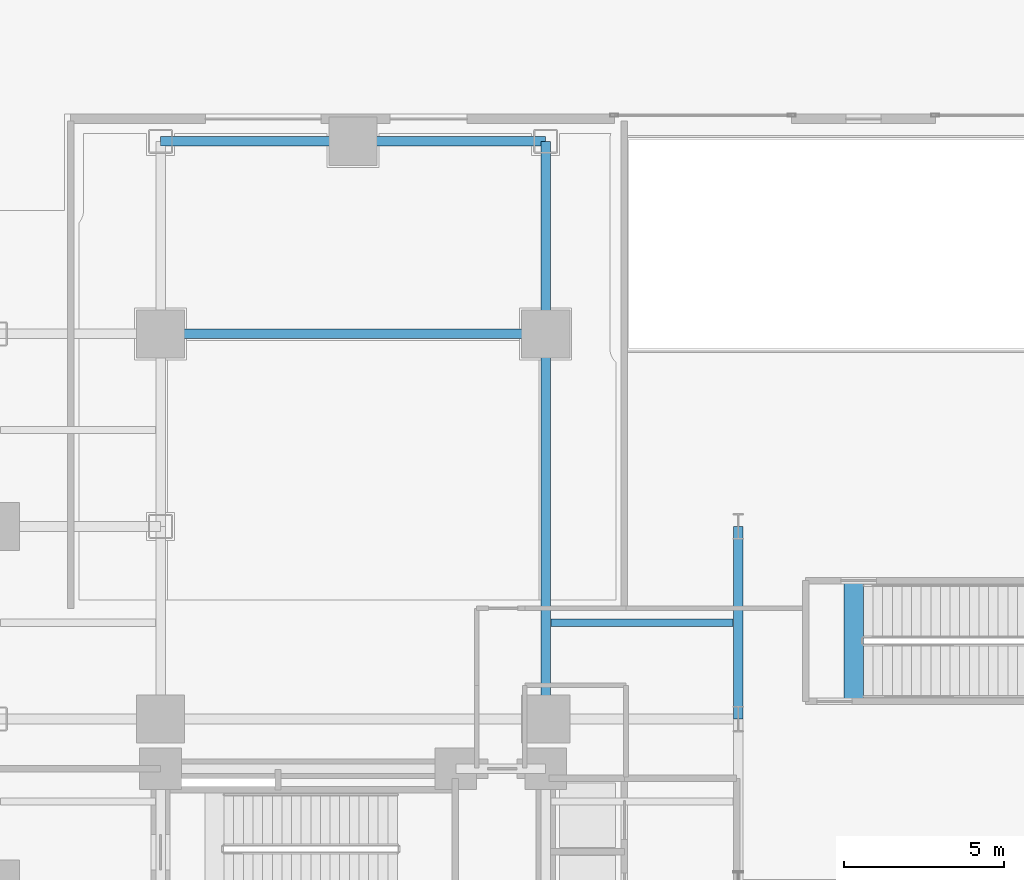
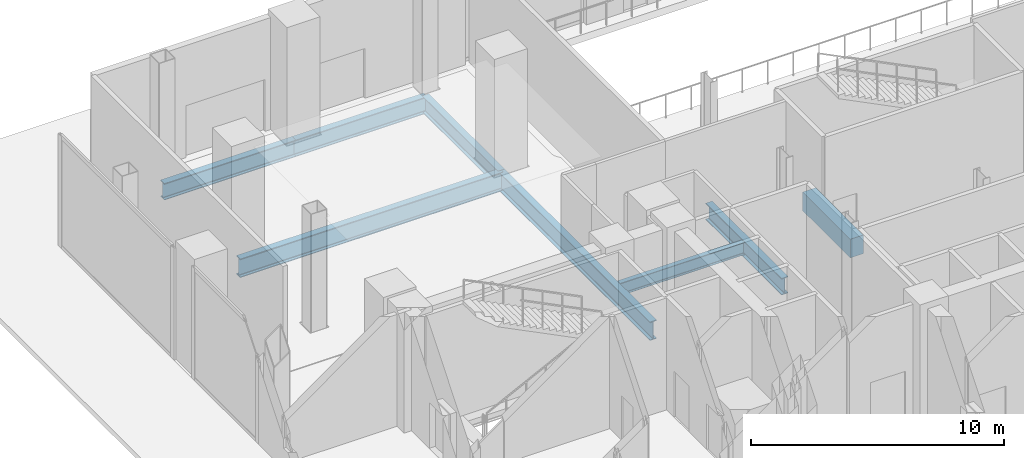
# One storey, part 11 of 27: 8 beams.
"""IFC4 building model written with IfcOpenShell, lengths in metres."""

from ifc_helpers import new_model, si_unit, direction, frame, origin, origin_2d, place, context, subcontext, project, spatial, rectangle, i_section, extrude, material, material_profile, profile_set, type_object, element, save


model = new_model("IFC4")

# Units and contexts
model_context = context("Model", 3, precision=1e-05, world=origin(), true_north=direction((0.0, 1.0)))
body_context = subcontext(model_context, "Body", "Model", "MODEL_VIEW")
ifc_project = project(units=[si_unit("LENGTHUNIT", "METRE"), si_unit("AREAUNIT", "SQUARE_METRE"), si_unit("VOLUMEUNIT", "CUBIC_METRE"), si_unit("PLANEANGLEUNIT", "RADIAN"), si_unit("MASSUNIT", "GRAM", prefix="KILO"), si_unit("THERMODYNAMICTEMPERATUREUNIT", "KELVIN"), si_unit("POWERUNIT", "WATT")], contexts=[model_context])

# Site, building, storey
site_placement = place(None, origin())
site = spatial("IfcSite", under=ifc_project, at=site_placement, CompositionType="ELEMENT")
building_placement = place(site_placement, origin())
building = spatial("IfcBuilding", under=site, at=building_placement, Name="Svarakhadi Broadcast Tower", CompositionType="ELEMENT")
storey_placement = place(building_placement, origin())
storey = spatial("IfcBuildingStorey", under=building, at=storey_placement, Name="L00", CompositionType="ELEMENT", Elevation=0.0)

# Beams
ifc_material_1 = material(Name="Steel S355J2 (IS 2062 E350C)", Category="steel")
ifc_material_profile_1 = material_profile(ifc_material_1, i_section(OverallWidth=0.219970703125, OverallDepth=0.60009765625, WebThickness=0.011962890625, FlangeThickness=0.01904296875, FilletRadius=0.02392578125, at=origin_2d()), Name="NPB 600x220x122")
ifc_profile_set_1 = profile_set([ifc_material_profile_1], Name="Steel S355J2 (IS 2062 E350C)")
beam_type_1 = type_object("IfcBeamType", Name="Beam_NPB600", PredefinedType="BEAM", material=ifc_profile_set_1)
beam_1_placement = place(storey_placement, frame((18.159912109375, 32.14990234375, -0.64990234375), z_axis=(1.0, 0.0, 0.0), x_axis=(0.0, 1.0, 0.0)))
element("IfcBeam", 1, at=beam_1_placement, inside=storey, type_object=beam_type_1, Name="L00 Secondary Composite Beam SB018", PredefinedType="BEAM", context=body_context, shape_type="SweptSolid", body=[
    extrude(i_section(OverallWidth=0.219970703125, OverallDepth=0.60009765625, WebThickness=0.011962890625, FlangeThickness=0.01904296875, FilletRadius=0.02392578125, at=origin_2d()), origin(), (0.0, 0.0, 1.0), 5.68017578125),
])
ifc_material_2 = material(Name="Concrete C50/60 (IS 456 M60)", Category="concrete")
ifc_material_profile_2 = material_profile(ifc_material_2, rectangle(XDim=0.60009765625, YDim=0.89990234375, at=origin_2d()), Name="RC 600x900")
ifc_profile_set_2 = profile_set([ifc_material_profile_2], Name="Concrete C50/60 (IS 456 M60)")
beam_type_2 = type_object("IfcBeamType", Name="Coupling_RC600", PredefinedType="USERDEFINED", material=ifc_profile_set_2)
beam_2_placement = place(storey_placement, frame((27.60009765625, 29.699951171875, -0.449951171875), z_axis=(0.0, 1.0, 0.0), x_axis=(-1.0, 0.0, 0.0)))
element("IfcBeam", 2, at=beam_2_placement, inside=storey, type_object=beam_type_2, Name="L00 Stair ST-03 Landing Throat Trimmer Beam CB-01", ObjectType="GIRDER", PredefinedType="USERDEFINED", context=body_context, shape_type="SweptSolid", body=[
    extrude(rectangle(XDim=0.60009765625, YDim=0.89990234375, at=origin_2d()), origin(), (0.0, 0.0, 1.0), 3.760009765625),
])
ifc_material_profile_3 = material_profile(ifc_material_1, i_section(OverallWidth=0.300048828125, OverallDepth=0.800048828125, WebThickness=0.017578125, FlangeThickness=0.032958984375, FilletRadius=0.030029296875, at=origin_2d()), Name="WPB 800x300x262")
ifc_profile_set_3 = profile_set([ifc_material_profile_3], Name="Steel S355J2 (IS 2062 E350C)")
beam_type_3 = type_object("IfcBeamType", Name="Girder_WPB800", PredefinedType="USERDEFINED", material=ifc_profile_set_3)
for number, where, z_axis, x_axis, name in (
    (3, (6.0, 47.14990234375, -0.75), (1.0, 0.0, 0.0), (0.0, 1.0, 0.0), "L00 Primary E-W Girder G042"),
    (4, (12.0, 47.14990234375, -0.75), (1.0, 0.0, 0.0), (0.0, 1.0, 0.0), "L00 Primary E-W Girder G043"),
    (5, (18.0, 41.14990234375, -0.75), (0.0, 1.0, 0.0), (-1.0, 0.0, 0.0), "L00 Primary N-S Girder G063"),
    (6, (24.0, 29.14990234375, -0.75), (0.0, 1.0, 0.0), (-1.0, 0.0, 0.0), "L00 Primary N-S Girder G069"),
):
    element("IfcBeam", number, at=place(storey_placement, frame(where, z_axis=z_axis, x_axis=x_axis)), inside=storey, type_object=beam_type_3, Name=name, ObjectType="GIRDER", PredefinedType="USERDEFINED", context=body_context, shape_type="SweptSolid", body=[
        extrude(i_section(OverallWidth=0.300048828125, OverallDepth=0.800048828125, WebThickness=0.017578125, FlangeThickness=0.032958984375, FilletRadius=0.030029296875, at=origin_2d()), origin(), (0.0, 0.0, 1.0), 6.0),
    ])
ifc_material_3 = material(Name="Steel S460ML (IS 2062 E450BR)", Category="steel")
ifc_material_profile_4 = material_profile(ifc_material_3, i_section(OverallWidth=0.300048828125, OverallDepth=0.89990234375, WebThickness=0.0185546875, FlangeThickness=0.034912109375, FilletRadius=0.030029296875, at=origin_2d()), Name="WPB 900x300x291")
ifc_profile_set_4 = profile_set([ifc_material_profile_4], Name="Steel S460ML (IS 2062 E450BR)")
beam_type_4 = type_object("IfcBeamType", Name="Girder_WPB900", PredefinedType="USERDEFINED", material=ifc_profile_set_4)
for number, where, z_axis, x_axis, name in (
    (7, (6.0, 41.14990234375, -0.800048828125), (1.0, 0.0, 0.0), (0.0, 1.0, 0.0), "L00 Primary E-W Girder G041"),
    (8, (18.0, 29.14990234375, -0.800048828125), (0.0, 1.0, 0.0), (-1.0, 0.0, 0.0), "L00 Primary N-S Girder G062"),
):
    element("IfcBeam", number, at=place(storey_placement, frame(where, z_axis=z_axis, x_axis=x_axis)), inside=storey, type_object=beam_type_4, Name=name, ObjectType="GIRDER", PredefinedType="USERDEFINED", context=body_context, shape_type="SweptSolid", body=[
        extrude(i_section(OverallWidth=0.300048828125, OverallDepth=0.89990234375, WebThickness=0.0185546875, FlangeThickness=0.034912109375, FilletRadius=0.030029296875, at=origin_2d()), origin(), (0.0, 0.0, 1.0), 12.0),
    ])

save(model, "model.ifc")
